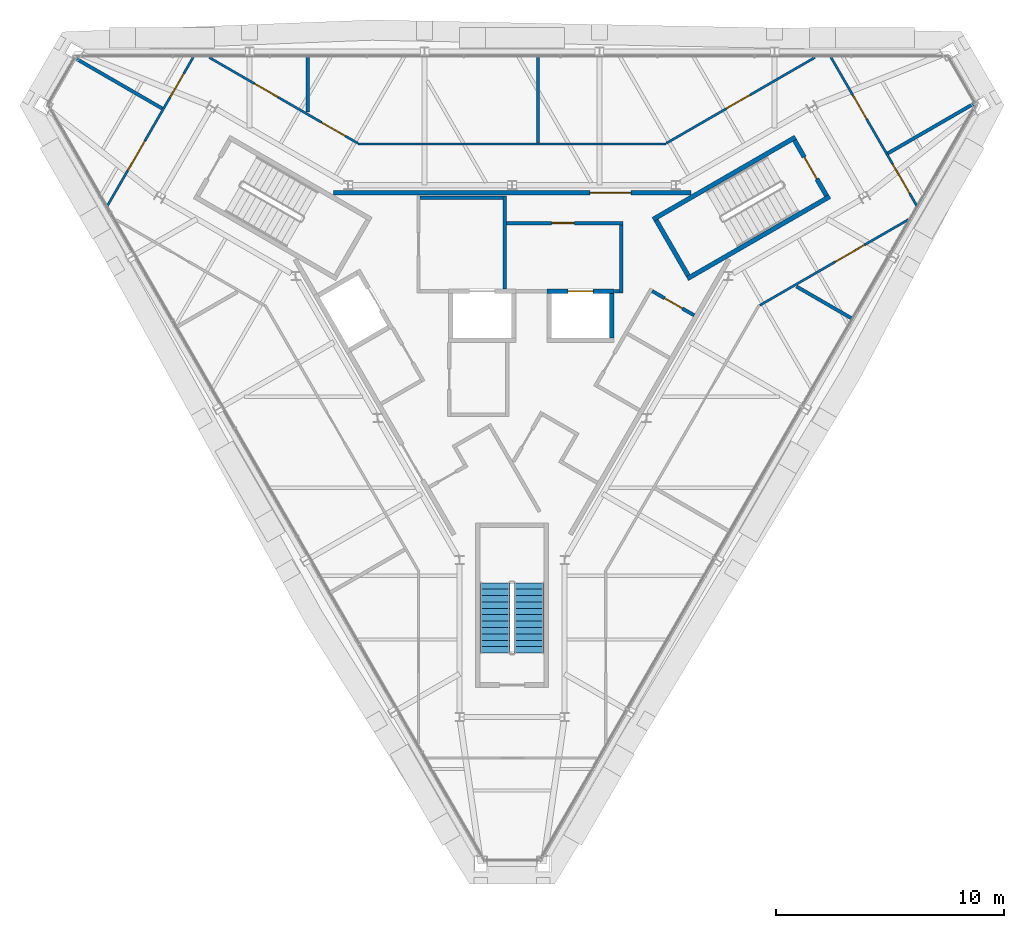
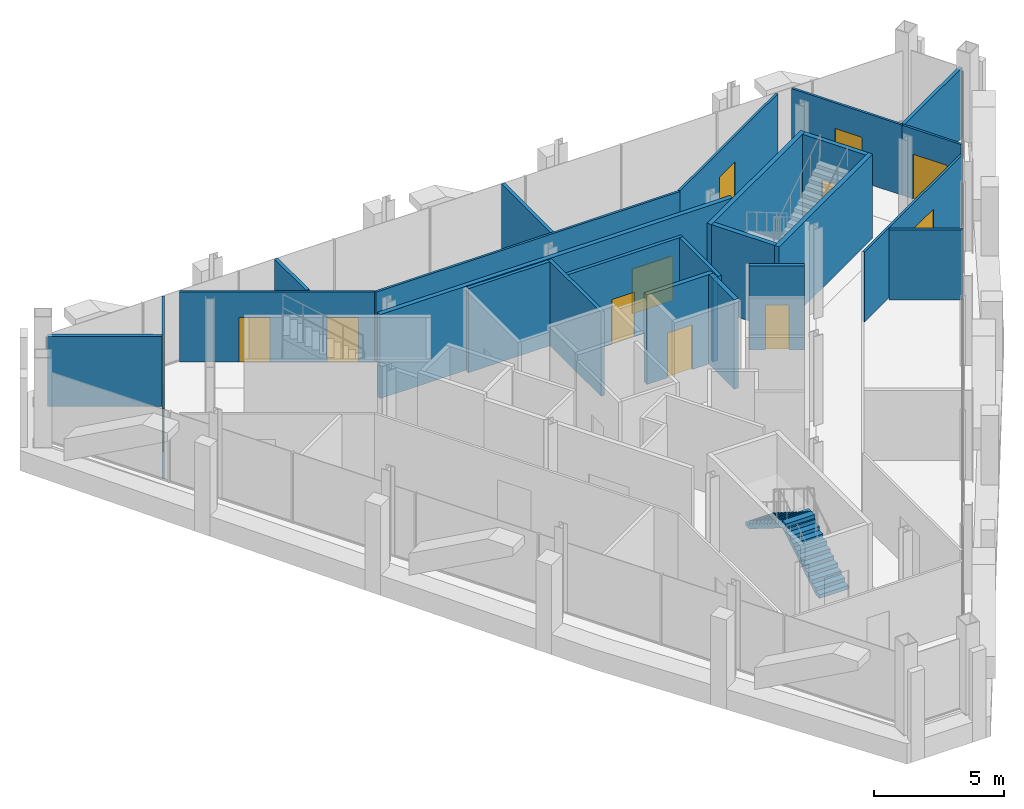
# One storey, part 10 of 13: 25 walls, 13 doors, 2 stair flights, 13 openings, 1 element without a shape of its own.
"""IFC4 building model written with IfcOpenShell, lengths in metres."""

from ifc_helpers import new_model, si_unit, direction, frame, frame_2d, origin, place, context, subcontext, project, spatial, polyline, rectangle, outline, extrude, material, layer, layer_set, type_object, element, fill, aggregate, save


model = new_model("IFC4")

# Units and contexts
model_context = context("Model", 3, precision=1e-05, world=origin(), true_north=direction((0.0, 1.0)))
body_context = subcontext(model_context, "Body", "Model", "MODEL_VIEW")
ifc_project = project(units=[si_unit("LENGTHUNIT", "METRE"), si_unit("AREAUNIT", "SQUARE_METRE"), si_unit("VOLUMEUNIT", "CUBIC_METRE"), si_unit("PLANEANGLEUNIT", "RADIAN"), si_unit("MASSUNIT", "GRAM", prefix="KILO")], contexts=[model_context])

# Site, building, storey
site_placement = place(None, origin())
site = spatial("IfcSite", under=ifc_project, at=site_placement, CompositionType="ELEMENT")
building_placement = place(site_placement, origin())
building = spatial("IfcBuilding", under=site, at=building_placement, Name="Verrane Prism Tower", CompositionType="ELEMENT")
storey_placement = place(building_placement, frame((0.0, 0.0, 312.60009765625)))
storey = spatial("IfcBuildingStorey", under=building, at=storey_placement, Name="L79", CompositionType="ELEMENT", Elevation=312.60009765625)

# Wall, opening, door
ifc_material_1 = material(Name="Gypsum board partition", Category="other")
ifc_layer_1 = layer(ifc_material_1, 0.199951171875)
ifc_layer_set_1 = layer_set([ifc_layer_1], Name="CW-200 core boundary wall 2 h")
wall_type_1 = type_object("IfcWallType", Name="CW-200 core boundary wall 2 h", PredefinedType="PARTITIONING", material=ifc_layer_set_1)
wall_1_placement = place(storey_placement, frame((7.8291015625, 6.4599609375, 0.0), z_axis=(0.0, 0.0, 1.0), x_axis=(-1.0, 0.0, 0.0)))
wall_1 = element("IfcWall", 1, at=wall_1_placement, inside=storey, type_object=wall_type_1, Name="Core boundary wall CW3-002", PredefinedType="PARTITIONING", context=body_context, shape_type="SweptSolid", body=[
    extrude(rectangle(XDim=15.658203125, YDim=0.199951171875, at=frame_2d((7.8291015625, 0.0))), origin(), (0.0, 0.0, 1.0), 3.949951171875),
])
opening_1_placement = place(wall_1_placement, frame((2.617919921875, 0.0, 0.0)))
opening_1 = element("IfcOpeningElement", 2, at=opening_1_placement, cuts=wall_1, Name="Opening D79506", PredefinedType="OPENING", context=body_context, shape_type="SweptSolid", body=[
    extrude(rectangle(XDim=1.800048828125, YDim=2.10009765625, at=frame_2d((0.89990234375, 1.050048828125))), frame((0.0, 0.10986328125, 0.0), z_axis=(0.0, -1.0, 0.0), x_axis=(1.0, 0.0, 0.0)), (0.0, 0.0, 1.0), 0.219970703125),
])
ifc_material_2 = material(Name="Timber veneered door leaf", Category="wood")
door_type_1 = type_object("IfcDoorType", Name="DR-1800x2100 FD60 double leaf lift lobby", OperationType="NOTDEFINED", PredefinedType="DOOR", material=ifc_material_2)
door_1_placement = place(opening_1_placement, origin())
door_1 = element("IfcDoor", 3, at=door_1_placement, inside=storey, type_object=door_type_1, Name="Lift lobby door D79506", OperationType="DOUBLE_DOOR_SINGLE_SWING", OverallHeight=2.10009765625, OverallWidth=1.800048828125, PredefinedType="DOOR", context=body_context, shape_type="SweptSolid", body=[
    extrude(rectangle(XDim=1.800048828125, YDim=2.10009765625, at=frame_2d((0.89990234375, 1.050048828125))), frame((0.0, 0.02490234375, 0.0), z_axis=(0.0, -1.0, 0.0), x_axis=(1.0, 0.0, 0.0)), (0.0, 0.0, 1.0), 0.050048828125),
])
fill(opening_1, door_1)

ifc_material_3 = material(Name="Concrete C40/50", Category="concrete")
ifc_layer_2 = layer(ifc_material_3, 0.199951171875)
ifc_layer_set_2 = layer_set([ifc_layer_2], Name="CW-200 stair core wall concrete C40/50 3 h")
wall_type_2 = type_object("IfcWallType", Name="CW-200 stair core wall concrete C40/50 3 h", PredefinedType="PARTITIONING", material=ifc_layer_set_2)
wall_2_placement = place(storey_placement, frame((13.777099609375, 6.337646484375, 0.0), z_axis=(0.0, 0.0, 1.0), x_axis=(-0.500049511043, 0.865996816683, 0.0)))
wall_2 = element("IfcWall", 4, at=wall_2_placement, inside=storey, type_object=wall_type_2, Name="Stair 1 enclosure wall", PredefinedType="PARTITIONING", context=body_context, shape_type="SweptSolid", body=[
    extrude(rectangle(XDim=2.800048828125, YDim=0.199951171875, at=frame_2d((1.39990234375, 0.0))), origin(), (0.0, 0.0, 1.0), 3.949951171875),
])
opening_2_placement = place(wall_2_placement, frame((0.849853515625, 0.0, 0.0)))
opening_2 = element("IfcOpeningElement", 5, at=opening_2_placement, cuts=wall_2, Name="Opening D79500", PredefinedType="OPENING", context=body_context, shape_type="SweptSolid", body=[
    extrude(rectangle(XDim=1.10009765625, YDim=2.10009765625, at=frame_2d((0.550048828125, 1.050048828125))), frame((0.0, 0.10986328125, 0.0), z_axis=(0.0, -1.0, 0.0), x_axis=(1.0, 0.0, 0.0)), (0.0, 0.0, 1.0), 0.219970703125),
])
ifc_material_4 = material(Name="Timber veneered door leaf", Category="wood")
door_type_2 = type_object("IfcDoorType", Name="DR-1100x2100 FD90 single leaf stair", OperationType="NOTDEFINED", PredefinedType="DOOR", material=ifc_material_4)
door_2_placement = place(opening_2_placement, origin())
door_2 = element("IfcDoor", 6, at=door_2_placement, inside=storey, type_object=door_type_2, Name="Stair 1 door", OperationType="SINGLE_SWING_LEFT", OverallHeight=2.10009765625, OverallWidth=1.10009765625, PredefinedType="DOOR", context=body_context, shape_type="SweptSolid", body=[
    extrude(rectangle(XDim=1.10009765625, YDim=2.10009765625, at=frame_2d((0.550048828125, 1.050048828125))), frame((0.0, 0.02490234375, 0.0), z_axis=(0.0, -1.0, 0.0), x_axis=(1.0, 0.0, 0.0)), (0.0, 0.0, 1.0), 0.050048828125),
])
fill(opening_2, door_2)

# Walls
for number, where, z_axis, x_axis, name in (
    (7, (6.17822265625, 5.299072265625, 0.0), (0.0, 0.0, 1.0), (0.866033125095, 0.499986626058, 0.0), "Stair 1 enclosure wall"),
    (8, (7.67822265625, 2.700927734375, 0.0), (0.0, 0.0, 1.0), (0.866018442252, 0.500012057535, 0.0), "Stair 1 enclosure wall"),
):
    element("IfcWall", number, at=place(storey_placement, frame(where, z_axis=z_axis, x_axis=x_axis)), inside=storey, type_object=wall_type_2, Name=name, PredefinedType="PARTITIONING", context=body_context, shape_type="SweptSolid", body=[
        extrude(rectangle(XDim=7.199951171875, YDim=0.199951171875, at=frame_2d((3.60009765625, 0.0))), origin(), (0.0, 0.0, 1.0), 3.949951171875),
    ])
wall_3_placement = place(storey_placement, frame((7.71484375, 2.837646484375, 0.0), z_axis=(0.0, 0.0, 1.0), x_axis=(-0.500049511043, 0.865996816683, 0.0)))
element("IfcWall", 9, at=wall_3_placement, inside=storey, type_object=wall_type_2, Name="Stair 1 enclosure wall", PredefinedType="PARTITIONING", context=body_context, shape_type="SweptSolid", body=[
    extrude(rectangle(XDim=2.800048828125, YDim=0.199951171875, at=frame_2d((1.39990234375, 0.0))), origin(), (0.0, 0.0, 1.0), 3.949951171875),
])

# Wall, opening, door
ifc_material_5 = material(Name="Gypsum board shaft wall assembly", Category="other")
ifc_layer_3 = layer(ifc_material_5, 0.199951171875)
ifc_layer_set_3 = layer_set([ifc_layer_3], Name="HW-200 lift shaft wall 2 h")
wall_type_3 = type_object("IfcWallType", Name="HW-200 lift shaft wall 2 h", PredefinedType="PARTITIONING", material=ifc_layer_set_3)
wall_4_placement = place(storey_placement, frame((1.52490234375, 2.14990234375, 0.0), z_axis=(0.0, 0.0, 1.0), x_axis=(1.0, 0.0, 0.0)))
wall_4 = element("IfcWall", 10, at=wall_4_placement, inside=storey, type_object=wall_type_3, Name="Lift shaft wall", PredefinedType="PARTITIONING", context=body_context, shape_type="SweptSolid", body=[
    extrude(rectangle(XDim=2.9501953125, YDim=0.199951171875, at=frame_2d((1.47509765625, 0.0))), origin(), (0.0, 0.0, 1.0), 4.199951171875),
])
opening_3_placement = place(wall_4_placement, frame((0.925048828125, 0.0, 0.0)))
opening_3 = element("IfcOpeningElement", 11, at=opening_3_placement, cuts=wall_4, Name="Opening D79504", PredefinedType="OPENING", context=body_context, shape_type="SweptSolid", body=[
    extrude(rectangle(XDim=1.10009765625, YDim=2.10009765625, at=frame_2d((0.550048828125, 1.050048828125))), frame((0.0, 0.10986328125, 0.0), z_axis=(0.0, -1.0, 0.0), x_axis=(1.0, 0.0, 0.0)), (0.0, 0.0, 1.0), 0.219970703125),
])
ifc_material_6 = material(Name="Stainless steel sliding landing door", Category="steel")
door_type_3 = type_object("IfcDoorType", Name="LD-1100x2100 lift landing door FD90 sliding", OperationType="NOTDEFINED", PredefinedType="DOOR", material=ifc_material_6)
door_3_placement = place(opening_3_placement, origin())
door_3 = element("IfcDoor", 12, at=door_3_placement, inside=storey, type_object=door_type_3, Name="Fire service lift 2 landing door", OperationType="SLIDING_TO_RIGHT", OverallHeight=2.10009765625, OverallWidth=1.10009765625, PredefinedType="DOOR", context=body_context, shape_type="SweptSolid", body=[
    extrude(rectangle(XDim=1.10009765625, YDim=2.10009765625, at=frame_2d((0.550048828125, 1.050048828125))), frame((0.0, 0.02490234375, 0.0), z_axis=(0.0, -1.0, 0.0), x_axis=(1.0, 0.0, 0.0)), (0.0, 0.0, 1.0), 0.050048828125),
])
fill(opening_3, door_3)

# Walls
wall_5_placement = place(storey_placement, frame((4.375, 0.10009765625, 0.0), z_axis=(0.0, 0.0, 1.0), x_axis=(0.0, 1.0, 0.0)))
element("IfcWall", 13, at=wall_5_placement, inside=storey, type_object=wall_type_3, Name="Lift shaft wall", PredefinedType="PARTITIONING", context=body_context, shape_type="SweptSolid", body=[
    extrude(rectangle(XDim=1.949951171875, YDim=0.199951171875, at=frame_2d((0.97509765625, 0.0))), origin(), (0.0, 0.0, 1.0), 4.199951171875),
])
ifc_material_7 = material(Name="Gypsum board partition", Category="other")
ifc_layer_4 = layer(ifc_material_7, 0.14990234375)
ifc_layer_set_4 = layer_set([ifc_layer_4], Name="LF-150 firefighting lobby wall 1 h")
wall_type_4 = type_object("IfcWallType", Name="LF-150 firefighting lobby wall 1 h", PredefinedType="PARTITIONING", material=ifc_layer_set_4)
wall_6_placement = place(storey_placement, frame((-4.02490234375, 6.239990234375, 0.0), z_axis=(0.0, 0.0, 1.0), x_axis=(1.0, 0.0, 0.0)))
element("IfcWall", 14, at=wall_6_placement, inside=storey, type_object=wall_type_4, Name="Firefighting lobby wall LF1-003", PredefinedType="PARTITIONING", context=body_context, shape_type="SweptSolid", body=[
    extrude(rectangle(XDim=3.6298828125, YDim=0.14990234375, at=frame_2d((1.81494140625, 0.0))), origin(), (0.0, 0.0, 1.0), 3.949951171875),
])
wall_7_placement = place(storey_placement, frame((-0.320068359375, 2.251953125, 0.0), z_axis=(0.0, 0.0, 1.0), x_axis=(0.0, 1.0, 0.0)))
element("IfcWall", 15, at=wall_7_placement, inside=storey, type_object=wall_type_4, Name="Firefighting lobby wall LF1-004", PredefinedType="PARTITIONING", context=body_context, shape_type="SweptSolid", body=[
    extrude(rectangle(XDim=4.06298828125, YDim=0.14990234375, at=frame_2d((2.031494140625, 0.0))), origin(), (0.0, 0.0, 1.0), 3.949951171875),
])

# Wall, opening, door
wall_8_placement = place(storey_placement, frame((-0.2451171875, 5.139892578125, 0.0), z_axis=(0.0, 0.0, 1.0), x_axis=(1.0, 0.0, 0.0)))
wall_8 = element("IfcWall", 16, at=wall_8_placement, inside=storey, type_object=wall_type_4, Name="Firefighting lobby wall LF1-005", PredefinedType="PARTITIONING", context=body_context, shape_type="SweptSolid", body=[
    extrude(rectangle(XDim=5.110107421875, YDim=0.14990234375, at=frame_2d((2.55517578125, 0.0))), origin(), (0.0, 0.0, 1.0), 3.949951171875),
])
opening_4_placement = place(wall_8_placement, frame((1.97509765625, 0.0, 0.0)))
opening_4 = element("IfcOpeningElement", 17, at=opening_4_placement, cuts=wall_8, Name="Opening D79512", PredefinedType="OPENING", context=body_context, shape_type="SweptSolid", body=[
    extrude(rectangle(XDim=1.0, YDim=2.10009765625, at=frame_2d((0.5, 1.050048828125))), frame((0.0, 0.0849609375, 0.0), z_axis=(0.0, -1.0, 0.0), x_axis=(1.0, 0.0, 0.0)), (0.0, 0.0, 1.0), 0.169921875),
])
ifc_material_8 = material(Name="Timber veneered door leaf", Category="wood")
door_type_4 = type_object("IfcDoorType", Name="DR-1000x2100 FD60 single leaf firefighting lobby", OperationType="NOTDEFINED", PredefinedType="DOOR", material=ifc_material_8)
door_4_placement = place(opening_4_placement, origin())
door_4 = element("IfcDoor", 18, at=door_4_placement, inside=storey, type_object=door_type_4, Name="Firefighting lobby door D79512", OperationType="SINGLE_SWING_RIGHT", OverallHeight=2.10009765625, OverallWidth=1.0, PredefinedType="DOOR", context=body_context, shape_type="SweptSolid", body=[
    extrude(rectangle(XDim=1.0, YDim=2.10009765625, at=frame_2d((0.5, 1.050048828125))), frame((0.0, 0.02490234375, 0.0), z_axis=(0.0, -1.0, 0.0), x_axis=(1.0, 0.0, 0.0)), (0.0, 0.0, 1.0), 0.050048828125),
])
fill(opening_4, door_4)

# Walls
wall_9_placement = place(storey_placement, frame((4.47705078125, 2.159912109375, 0.0), z_axis=(0.0, 0.0, 1.0), x_axis=(1.0, 0.0, 0.0)))
element("IfcWall", 19, at=wall_9_placement, inside=storey, type_object=wall_type_4, Name="Firefighting lobby wall LF1-007", PredefinedType="PARTITIONING", context=body_context, shape_type="SweptSolid", body=[
    extrude(rectangle(XDim=0.238037109375, YDim=0.14990234375, at=frame_2d((0.119140625, 0.0))), origin(), (0.0, 0.0, 1.0), 3.949951171875),
])
wall_10_placement = place(storey_placement, frame((4.7900390625, 2.0849609375, 0.0), z_axis=(0.0, 0.0, 1.0), x_axis=(0.0, 1.0, 0.0)))
element("IfcWall", 20, at=wall_10_placement, inside=storey, type_object=wall_type_4, Name="Firefighting lobby wall LF1-008", PredefinedType="PARTITIONING", context=body_context, shape_type="SweptSolid", body=[
    extrude(rectangle(XDim=2.97998046875, YDim=0.14990234375, at=frame_2d((1.489990234375, 0.0))), origin(), (0.0, 0.0, 1.0), 3.949951171875),
])

# Wall, openings, doors
ifc_material_9 = material(Name="Gypsum board partition", Category="other")
ifc_layer_5 = layer(ifc_material_9, 0.10009765625)
ifc_layer_set_5 = layer_set([ifc_layer_5], Name="PW-100 crown corridor wall 1 h")
wall_type_5 = type_object("IfcWallType", Name="PW-100 crown corridor wall 1 h", PredefinedType="PARTITIONING", material=ifc_layer_set_5)
wall_11_placement = place(storey_placement, frame((-17.73046875, 5.8935546875, 0.0), z_axis=(0.0, 0.0, 1.0), x_axis=(0.500350572687, 0.865822905918, 0.0)))
wall_11 = element("IfcWall", 21, at=wall_11_placement, inside=storey, type_object=wall_type_5, Name="Corridor wall 002", PredefinedType="PARTITIONING", context=body_context, shape_type="SweptSolid", body=[
    extrude(rectangle(XDim=7.5244140625, YDim=0.10009765625, at=frame_2d((3.76220703125, 0.0))), origin(), (0.0, 0.0, 1.0), 3.296875),
])
opening_5_placement = place(wall_11_placement, frame((5.495849609375, 0.0, 0.0)))
opening_5 = element("IfcOpeningElement", 22, at=opening_5_placement, cuts=wall_11, Name="Opening D79004", PredefinedType="OPENING", context=body_context, shape_type="SweptSolid", body=[
    extrude(rectangle(XDim=1.199951171875, YDim=2.10009765625, at=frame_2d((0.60009765625, 1.050048828125))), frame((0.0, 0.06005859375, 0.0), z_axis=(0.0, -1.0, 0.0), x_axis=(1.0, 0.0, 0.0)), (0.0, 0.0, 1.0), 0.1201171875),
])
opening_6_placement = place(wall_11_placement, frame((1.77880859375, 0.0, 0.0)))
opening_6 = element("IfcOpeningElement", 23, at=opening_6_placement, cuts=wall_11, Name="Opening D79005", PredefinedType="OPENING", context=body_context, shape_type="SweptSolid", body=[
    extrude(rectangle(XDim=1.5, YDim=2.10009765625, at=frame_2d((0.75, 1.050048828125))), frame((0.0, 0.06005859375, 0.0), z_axis=(0.0, -1.0, 0.0), x_axis=(1.0, 0.0, 0.0)), (0.0, 0.0, 1.0), 0.1201171875),
])
ifc_material_10 = material(Name="Timber veneered door leaf", Category="wood")
door_type_5 = type_object("IfcDoorType", Name="DR-1200x2100 FD60 single leaf unit", OperationType="NOTDEFINED", PredefinedType="DOOR", material=ifc_material_10)
door_5_placement = place(opening_5_placement, origin())
door_5 = element("IfcDoor", 24, at=door_5_placement, inside=storey, type_object=door_type_5, Name="Lift Machine Room door", OperationType="SINGLE_SWING_RIGHT", OverallHeight=2.10009765625, OverallWidth=1.199951171875, PredefinedType="DOOR", context=body_context, shape_type="SweptSolid", body=[
    extrude(rectangle(XDim=1.199951171875, YDim=2.10009765625, at=frame_2d((0.60009765625, 1.050048828125))), frame((0.0, 0.02490234375, 0.0), z_axis=(0.0, -1.0, 0.0), x_axis=(1.0, 0.0, 0.0)), (0.0, 0.0, 1.0), 0.050048828125),
])
fill(opening_5, door_5)
ifc_material_11 = material(Name="Timber veneered door leaf", Category="wood")
door_type_6 = type_object("IfcDoorType", Name="DR-1500x2100 FD60 double leaf unit", OperationType="NOTDEFINED", PredefinedType="DOOR", material=ifc_material_11)
door_6_placement = place(opening_6_placement, origin())
door_6 = element("IfcDoor", 25, at=door_6_placement, inside=storey, type_object=door_type_6, Name="Mechanical Plant Room door", OperationType="DOUBLE_DOOR_SINGLE_SWING", OverallHeight=2.10009765625, OverallWidth=1.5, PredefinedType="DOOR", context=body_context, shape_type="SweptSolid", body=[
    extrude(rectangle(XDim=1.5, YDim=2.10009765625, at=frame_2d((0.75, 1.050048828125))), frame((0.0, 0.02490234375, 0.0), z_axis=(0.0, -1.0, 0.0), x_axis=(1.0, 0.0, 0.0)), (0.0, 0.0, 1.0), 0.050048828125),
])
fill(opening_6, door_6)

wall_12_placement = place(storey_placement, frame((-13.264892578125, 12.390625, 0.0), z_axis=(0.0, 0.0, 1.0), x_axis=(0.866073029218, -0.499917501255, 0.0)))
wall_12 = element("IfcWall", 26, at=wall_12_placement, inside=storey, type_object=wall_type_5, Name="Corridor wall 005", PredefinedType="PARTITIONING", context=body_context, shape_type="SweptSolid", body=[
    extrude(rectangle(XDim=7.512451171875, YDim=0.10009765625, at=frame_2d((3.75634765625, 0.0))), origin(), (0.0, 0.0, 1.0), 3.296875),
])
opening_7_placement = place(wall_12_placement, frame((5.68701171875, 0.0, 0.0)))
opening_7 = element("IfcOpeningElement", 27, at=opening_7_placement, cuts=wall_12, Name="Opening D79003", PredefinedType="OPENING", context=body_context, shape_type="SweptSolid", body=[
    extrude(rectangle(XDim=1.199951171875, YDim=2.10009765625, at=frame_2d((0.60009765625, 1.050048828125))), frame((0.0, 0.06005859375, 0.0), z_axis=(0.0, -1.0, 0.0), x_axis=(1.0, 0.0, 0.0)), (0.0, 0.0, 1.0), 0.1201171875),
])
opening_8_placement = place(wall_12_placement, frame((2.287109375, 0.0, 0.0)))
opening_8 = element("IfcOpeningElement", 28, at=opening_8_placement, cuts=wall_12, Name="Opening D79013", PredefinedType="OPENING", context=body_context, shape_type="SweptSolid", body=[
    extrude(rectangle(XDim=1.199951171875, YDim=2.10009765625, at=frame_2d((0.60009765625, 1.050048828125))), frame((0.0, 0.06005859375, 0.0), z_axis=(0.0, -1.0, 0.0), x_axis=(1.0, 0.0, 0.0)), (0.0, 0.0, 1.0), 0.1201171875),
])
door_7_placement = place(opening_7_placement, origin())
door_7 = element("IfcDoor", 29, at=door_7_placement, inside=storey, type_object=door_type_5, Name="Lift Machine Room door", OperationType="SINGLE_SWING_LEFT", OverallHeight=2.10009765625, OverallWidth=1.199951171875, PredefinedType="DOOR", context=body_context, shape_type="SweptSolid", body=[
    extrude(rectangle(XDim=1.199951171875, YDim=2.10009765625, at=frame_2d((0.60009765625, 1.050048828125))), frame((0.0, 0.02490234375, 0.0), z_axis=(0.0, -1.0, 0.0), x_axis=(1.0, 0.0, 0.0)), (0.0, 0.0, 1.0), 0.050048828125),
])
fill(opening_7, door_7)
door_8_placement = place(opening_8_placement, origin())
door_8 = element("IfcDoor", 30, at=door_8_placement, inside=storey, type_object=door_type_5, Name="Lift Machine Room door", OperationType="SINGLE_SWING_RIGHT", OverallHeight=2.10009765625, OverallWidth=1.199951171875, PredefinedType="DOOR", context=body_context, shape_type="SweptSolid", body=[
    extrude(rectangle(XDim=1.199951171875, YDim=2.10009765625, at=frame_2d((0.60009765625, 1.050048828125))), frame((0.0, 0.02490234375, 0.0), z_axis=(0.0, -1.0, 0.0), x_axis=(1.0, 0.0, 0.0)), (0.0, 0.0, 1.0), 0.050048828125),
])
fill(opening_8, door_8)

# Wall
wall_13_placement = place(storey_placement, frame((-6.748046875, 8.60009765625, 0.0), z_axis=(0.0, 0.0, 1.0), x_axis=(1.0, 0.0, 0.0)))
element("IfcWall", 31, at=wall_13_placement, inside=storey, type_object=wall_type_5, Name="Corridor wall 009", PredefinedType="PARTITIONING", context=body_context, shape_type="SweptSolid", body=[
    extrude(rectangle(XDim=13.49609375, YDim=0.10009765625, at=frame_2d((6.748046875, 0.0))), origin(), (0.0, 0.0, 1.0), 3.296875),
])

# Wall, opening, door
wall_14_placement = place(storey_placement, frame((6.758544921875, 8.635009765625, 0.0), z_axis=(0.0, 0.0, 1.0), x_axis=(0.866073029218, 0.499917501255, 0.0)))
wall_14 = element("IfcWall", 32, at=wall_14_placement, inside=storey, type_object=wall_type_5, Name="Corridor wall 016", PredefinedType="PARTITIONING", context=body_context, shape_type="SweptSolid", body=[
    extrude(rectangle(XDim=7.512451171875, YDim=0.10009765625, at=frame_2d((3.75634765625, 0.0))), origin(), (0.0, 0.0, 1.0), 3.296875),
])
opening_9_placement = place(wall_14_placement, frame((3.030029296875, 0.0, 0.0)))
opening_9 = element("IfcOpeningElement", 33, at=opening_9_placement, cuts=wall_14, Name="Opening D79002", PredefinedType="OPENING", context=body_context, shape_type="SweptSolid", body=[
    extrude(rectangle(XDim=1.199951171875, YDim=2.10009765625, at=frame_2d((0.60009765625, 1.050048828125))), frame((0.0, 0.06005859375, 0.0), z_axis=(0.0, -1.0, 0.0), x_axis=(1.0, 0.0, 0.0)), (0.0, 0.0, 1.0), 0.1201171875),
])
door_9_placement = place(opening_9_placement, origin())
door_9 = element("IfcDoor", 34, at=door_9_placement, inside=storey, type_object=door_type_5, Name="Lift Machine Room door", OperationType="SINGLE_SWING_RIGHT", OverallHeight=2.10009765625, OverallWidth=1.199951171875, PredefinedType="DOOR", context=body_context, shape_type="SweptSolid", body=[
    extrude(rectangle(XDim=1.199951171875, YDim=2.10009765625, at=frame_2d((0.60009765625, 1.050048828125))), frame((0.0, 0.02490234375, 0.0), z_axis=(0.0, -1.0, 0.0), x_axis=(1.0, 0.0, 0.0)), (0.0, 0.0, 1.0), 0.050048828125),
])
fill(opening_9, door_9)

wall_15_placement = place(storey_placement, frame((17.361328125, 5.2900390625, 0.0), z_axis=(0.0, 0.0, 1.0), x_axis=(-0.866105995393, -0.499860385252, 0.0)))
wall_15 = element("IfcWall", 35, at=wall_15_placement, inside=storey, type_object=wall_type_5, Name="Corridor wall 017", PredefinedType="PARTITIONING", context=body_context, shape_type="SweptSolid", body=[
    extrude(rectangle(XDim=7.508056640625, YDim=0.10009765625, at=frame_2d((3.75390625, 0.0))), origin(), (0.0, 0.0, 1.0), 3.296875),
])
opening_10_placement = place(wall_15_placement, frame((2.2099609375, 0.0, 0.0)))
opening_10 = element("IfcOpeningElement", 36, at=opening_10_placement, cuts=wall_15, Name="Opening D79011", PredefinedType="OPENING", context=body_context, shape_type="SweptSolid", body=[
    extrude(rectangle(XDim=1.5, YDim=2.10009765625, at=frame_2d((0.75, 1.050048828125))), frame((0.0, 0.06005859375, 0.0), z_axis=(0.0, -1.0, 0.0), x_axis=(1.0, 0.0, 0.0)), (0.0, 0.0, 1.0), 0.1201171875),
])
door_10_placement = place(opening_10_placement, origin())
door_10 = element("IfcDoor", 37, at=door_10_placement, inside=storey, type_object=door_type_6, Name="Mechanical Plant Room door", OperationType="DOUBLE_DOOR_SINGLE_SWING", OverallHeight=2.10009765625, OverallWidth=1.5, PredefinedType="DOOR", context=body_context, shape_type="SweptSolid", body=[
    extrude(rectangle(XDim=1.5, YDim=2.10009765625, at=frame_2d((0.75, 1.050048828125))), frame((0.0, 0.02490234375, 0.0), z_axis=(0.0, -1.0, 0.0), x_axis=(1.0, 0.0, 0.0)), (0.0, 0.0, 1.0), 0.050048828125),
])
fill(opening_10, door_10)

wall_16_placement = place(storey_placement, frame((13.965576171875, 12.408447265625, 0.0), z_axis=(0.0, 0.0, 1.0), x_axis=(0.500399645014, -0.865794545646, 0.0)))
wall_16 = element("IfcWall", 38, at=wall_16_placement, inside=storey, type_object=wall_type_5, Name="Corridor wall 019", PredefinedType="PARTITIONING", context=body_context, shape_type="SweptSolid", body=[
    extrude(rectangle(XDim=4.89892578125, YDim=0.10009765625, at=frame_2d((2.449462890625, 0.0))), origin(), (0.0, 0.0, 1.0), 3.296875),
])
opening_11_placement = place(wall_16_placement, frame((1.9287109375, 0.0, 0.0)))
opening_11 = element("IfcOpeningElement", 39, at=opening_11_placement, cuts=wall_16, Name="Opening D79001", PredefinedType="OPENING", context=body_context, shape_type="SweptSolid", body=[
    extrude(rectangle(XDim=1.199951171875, YDim=2.10009765625, at=frame_2d((0.60009765625, 1.050048828125))), frame((0.0, 0.06005859375, 0.0), z_axis=(0.0, -1.0, 0.0), x_axis=(1.0, 0.0, 0.0)), (0.0, 0.0, 1.0), 0.1201171875),
])
door_11_placement = place(opening_11_placement, origin())
door_11 = element("IfcDoor", 40, at=door_11_placement, inside=storey, type_object=door_type_5, Name="Lift Machine Room door", OperationType="SINGLE_SWING_LEFT", OverallHeight=2.10009765625, OverallWidth=1.199951171875, PredefinedType="DOOR", context=body_context, shape_type="SweptSolid", body=[
    extrude(rectangle(XDim=1.199951171875, YDim=2.10009765625, at=frame_2d((0.60009765625, 1.050048828125))), frame((0.0, 0.02490234375, 0.0), z_axis=(0.0, -1.0, 0.0), x_axis=(1.0, 0.0, 0.0)), (0.0, 0.0, 1.0), 0.050048828125),
])
fill(opening_11, door_11)

wall_17_placement = place(storey_placement, frame((16.41796875, 8.166015625, 0.0), z_axis=(0.0, 0.0, 1.0), x_axis=(0.500141194934, -0.865943869503, 0.0)))
wall_17 = element("IfcWall", 41, at=wall_17_placement, inside=storey, type_object=wall_type_5, Name="Corridor wall 020", PredefinedType="PARTITIONING", context=body_context, shape_type="SweptSolid", body=[
    extrude(rectangle(XDim=2.624267578125, YDim=0.10009765625, at=frame_2d((1.31201171875, 0.0))), origin(), (0.0, 0.0, 1.0), 3.296875),
])
opening_12_placement = place(wall_17_placement, frame((0.5, 0.0, 0.0)))
opening_12 = element("IfcOpeningElement", 42, at=opening_12_placement, cuts=wall_17, Name="Opening D79014", PredefinedType="OPENING", context=body_context, shape_type="SweptSolid", body=[
    extrude(rectangle(XDim=1.5, YDim=2.10009765625, at=frame_2d((0.75, 1.050048828125))), frame((0.0, 0.06005859375, 0.0), z_axis=(0.0, -1.0, 0.0), x_axis=(1.0, 0.0, 0.0)), (0.0, 0.0, 1.0), 0.1201171875),
])
door_12_placement = place(opening_12_placement, origin())
door_12 = element("IfcDoor", 43, at=door_12_placement, inside=storey, type_object=door_type_6, Name="Mechanical Plant Room door", OperationType="DOUBLE_DOOR_SINGLE_SWING", OverallHeight=2.10009765625, OverallWidth=1.5, PredefinedType="DOOR", context=body_context, shape_type="SweptSolid", body=[
    extrude(rectangle(XDim=1.5, YDim=2.10009765625, at=frame_2d((0.75, 1.050048828125))), frame((0.0, 0.02490234375, 0.0), z_axis=(0.0, -1.0, 0.0), x_axis=(1.0, 0.0, 0.0)), (0.0, 0.0, 1.0), 0.050048828125),
])
fill(opening_12, door_12)

# Walls
ifc_material_12 = material(Name="Gypsum board partition", Category="other")
ifc_layer_6 = layer(ifc_material_12, 0.14990234375)
ifc_layer_set_6 = layer_set([ifc_layer_6], Name="PW-150 demising wall 1 h")
wall_type_6 = type_object("IfcWallType", Name="PW-150 demising wall 1 h", PredefinedType="PARTITIONING", material=ifc_layer_set_6)
wall_18_placement = place(storey_placement, frame((-19.144775390625, 12.364990234375, 0.0), z_axis=(0.0, 0.0, 1.0), x_axis=(0.865798950571, -0.500392023508, 0.0)))
element("IfcWall", 44, at=wall_18_placement, inside=storey, type_object=wall_type_6, Name="Demising wall 001", PredefinedType="PARTITIONING", context=body_context, shape_type="SweptSolid", body=[
    extrude(rectangle(XDim=4.40771484375, YDim=0.14990234375, at=frame_2d((2.203857421875, 0.0))), origin(), (0.0, 0.0, 1.0), 3.296875),
])
wall_19_placement = place(storey_placement, frame((-8.946044921875, 9.998046875, 0.0), z_axis=(0.0, 0.0, 1.0), x_axis=(0.0, 1.0, 0.0)))
element("IfcWall", 45, at=wall_19_placement, inside=storey, type_object=wall_type_6, Name="Demising wall 007", PredefinedType="PARTITIONING", context=body_context, shape_type="SweptSolid", body=[
    extrude(rectangle(XDim=2.43505859375, YDim=0.14990234375, at=frame_2d((1.217529296875, 0.0))), origin(), (0.0, 0.0, 1.0), 3.296875),
])
wall_20_placement = place(storey_placement, frame((1.135986328125, 8.64990234375, 0.0), z_axis=(0.0, 0.0, 1.0), x_axis=(0.0, 1.0, 0.0)))
element("IfcWall", 46, at=wall_20_placement, inside=storey, type_object=wall_type_6, Name="Demising wall 012", PredefinedType="PARTITIONING", context=body_context, shape_type="SweptSolid", body=[
    extrude(rectangle(XDim=3.783203125, YDim=0.14990234375, at=frame_2d((1.8916015625, 0.0))), origin(), (0.0, 0.0, 1.0), 3.296875),
])
wall_21_placement = place(storey_placement, frame((12.45947265625, 2.3603515625, 0.0), z_axis=(0.0, 0.0, 1.0), x_axis=(0.865988260476, -0.50006432858, 0.0)))
element("IfcWall", 47, at=wall_21_placement, inside=storey, type_object=wall_type_6, Name="Demising wall 018", PredefinedType="PARTITIONING", context=body_context, shape_type="SweptSolid", body=[
    extrude(rectangle(XDim=2.822998046875, YDim=0.14990234375, at=frame_2d((1.41162109375, 0.0))), origin(), (0.0, 0.0, 1.0), 3.296875),
])
wall_22_placement = place(storey_placement, frame((16.461181640625, 8.19091796875, 0.0), z_axis=(0.0, 0.0, 1.0), x_axis=(0.865849090599, 0.500305259125, 0.0)))
element("IfcWall", 48, at=wall_22_placement, inside=storey, type_object=wall_type_6, Name="Demising wall 021", PredefinedType="PARTITIONING", context=body_context, shape_type="SweptSolid", body=[
    extrude(rectangle(XDim=4.411376953125, YDim=0.14990234375, at=frame_2d((2.20556640625, 0.0))), origin(), (0.0, 0.0, 1.0), 3.296875),
])

# Wall, opening, door
ifc_material_13 = material(Name="Gypsum board partition", Category="other")
ifc_layer_7 = layer(ifc_material_13, 0.14990234375)
ifc_layer_set_7 = layer_set([ifc_layer_7], Name="RS-150 riser enclosure wall 1 h")
wall_type_7 = type_object("IfcWallType", Name="RS-150 riser enclosure wall 1 h", PredefinedType="PARTITIONING", material=ifc_layer_set_7)
wall_23_placement = place(storey_placement, frame((7.977294921875, 1.097900390625, 0.0), z_axis=(0.0, 0.0, 1.0), x_axis=(-0.865913749133, 0.500193341681, 0.0)))
wall_23 = element("IfcWall", 49, at=wall_23_placement, inside=storey, type_object=wall_type_7, Name="Riser wall RS3-017", PredefinedType="PARTITIONING", context=body_context, shape_type="SweptSolid", body=[
    extrude(rectangle(XDim=2.124267578125, YDim=0.14990234375, at=frame_2d((1.06201171875, 0.0))), origin(), (0.0, 0.0, 1.0), 3.949951171875),
])
opening_13_placement = place(wall_23_placement, frame((0.599365234375, 0.0, 0.0)))
opening_13 = element("IfcOpeningElement", 50, at=opening_13_placement, cuts=wall_23, Name="Opening D79515", PredefinedType="OPENING", context=body_context, shape_type="SweptSolid", body=[
    extrude(rectangle(XDim=0.89990234375, YDim=2.10009765625, at=frame_2d((0.449951171875, 1.050048828125))), frame((0.0, 0.0849609375, 0.0), z_axis=(0.0, -1.0, 0.0), x_axis=(1.0, 0.0, 0.0)), (0.0, 0.0, 1.0), 0.169921875),
])
ifc_material_14 = material(Name="Timber veneered door leaf", Category="wood")
door_type_7 = type_object("IfcDoorType", Name="DR-900x2100 FD60 single leaf riser", OperationType="NOTDEFINED", PredefinedType="DOOR", material=ifc_material_14)
door_13_placement = place(opening_13_placement, origin())
door_13 = element("IfcDoor", 51, at=door_13_placement, inside=storey, type_object=door_type_7, Name="Riser door D79515", OperationType="SINGLE_SWING_RIGHT", OverallHeight=2.10009765625, OverallWidth=0.89990234375, PredefinedType="DOOR", context=body_context, shape_type="SweptSolid", body=[
    extrude(rectangle(XDim=0.89990234375, YDim=2.10009765625, at=frame_2d((0.449951171875, 1.050048828125))), frame((0.0, 0.02490234375, 0.0), z_axis=(0.0, -1.0, 0.0), x_axis=(1.0, 0.0, 0.0)), (0.0, 0.0, 1.0), 0.050048828125),
])
fill(opening_13, door_13)

# Stair, stair flights
ifc_material_15 = material(Name="Concrete C40/50", Category="concrete")
stair_type = type_object("IfcStairType", Name="Exit stair 1300 dog-leg precast concrete C40/50", PredefinedType="HALF_TURN_STAIR", material=ifc_material_15)
stair_placement = place(storey_placement, origin())
stair = element("IfcStair", 52, at=stair_placement, inside=storey, type_object=stair_type, Name="Stair 3 L79", PredefinedType="HALF_TURN_STAIR")
ifc_material_16 = material(Name="Concrete C40/50", Category="concrete")
stair_flight_type = type_object("IfcStairFlightType", Name="Stair flight 1300 precast concrete C40/50", PredefinedType="STRAIGHT", material=ifc_material_16)
stair_flight_1_placement = place(storey_placement, frame((0.75, -13.699951171875, 0.0), z_axis=(0.0, 0.0, 1.0), x_axis=(0.0, 1.0, 0.0)))
stair_flight_1 = element("IfcStairFlight", 53, at=stair_flight_1_placement, type_object=stair_flight_type, Name="Stair 3 flight 1", NumberOfRisers=12, NumberOfTreads=11, PredefinedType="STRAIGHT", RiserHeight=0.175, TreadLength=0.28, context=body_context, shape_type="SweptSolid", body=[
    extrude(outline(polyline([(0.0, 0.0), (0.0, 0.175048828125), (0.280029296875, 0.175048828125), (0.280029296875, 0.35009765625), (0.56005859375, 0.35009765625), (0.56005859375, 0.52490234375), (0.840087890625, 0.52490234375), (0.840087890625, 0.699951171875), (1.1201171875, 0.699951171875), (1.1201171875, 0.875), (1.39990234375, 0.875), (1.39990234375, 1.050048828125), (1.679931640625, 1.050048828125), (1.679931640625, 1.22509765625), (1.9599609375, 1.22509765625), (1.9599609375, 1.39990234375), (2.239990234375, 1.39990234375), (2.239990234375, 1.574951171875), (2.52001953125, 1.574951171875), (2.52001953125, 1.75), (2.800048828125, 1.75), (2.800048828125, 1.925048828125), (3.080078125, 1.925048828125), (3.080078125, 2.10009765625), (3.080078125, 1.748291015625), (0.28271484375, 0.0), (0.0, 0.0)])), frame((0.0, 0.64990234375, 0.0), z_axis=(0.0, -1.0, 0.0), x_axis=(1.0, 0.0, 0.0)), (0.0, 0.0, 1.0), 1.300048828125),
])
stair_flight_2_placement = place(storey_placement, frame((-0.75, -10.6201171875, 2.099853515625), z_axis=(0.0, 0.0, 1.0), x_axis=(0.0, -1.0, 0.0)))
stair_flight_2 = element("IfcStairFlight", 54, at=stair_flight_2_placement, type_object=stair_flight_type, Name="Stair 3 flight 2", NumberOfRisers=12, NumberOfTreads=11, PredefinedType="STRAIGHT", RiserHeight=0.175, TreadLength=0.28, context=body_context, shape_type="SweptSolid", body=[
    extrude(outline(polyline([(0.0, 0.0), (0.0, 0.175048828125), (0.280029296875, 0.175048828125), (0.280029296875, 0.35009765625), (0.56005859375, 0.35009765625), (0.56005859375, 0.52490234375), (0.840087890625, 0.52490234375), (0.840087890625, 0.699951171875), (1.1201171875, 0.699951171875), (1.1201171875, 0.875), (1.39990234375, 0.875), (1.39990234375, 1.050048828125), (1.679931640625, 1.050048828125), (1.679931640625, 1.22509765625), (1.9599609375, 1.22509765625), (1.9599609375, 1.39990234375), (2.239990234375, 1.39990234375), (2.239990234375, 1.574951171875), (2.52001953125, 1.574951171875), (2.52001953125, 1.75), (2.800048828125, 1.75), (2.800048828125, 1.925048828125), (3.080078125, 1.925048828125), (3.080078125, 2.10009765625), (3.080078125, 1.748291015625), (0.28271484375, 0.0), (0.0, 0.0)])), frame((0.0, 0.64990234375, 0.0), z_axis=(0.0, -1.0, 0.0), x_axis=(1.0, 0.0, 0.0)), (0.0, 0.0, 1.0), 1.300048828125),
])
aggregate(stair, [stair_flight_1, stair_flight_2])

save(model, "model.ifc")
